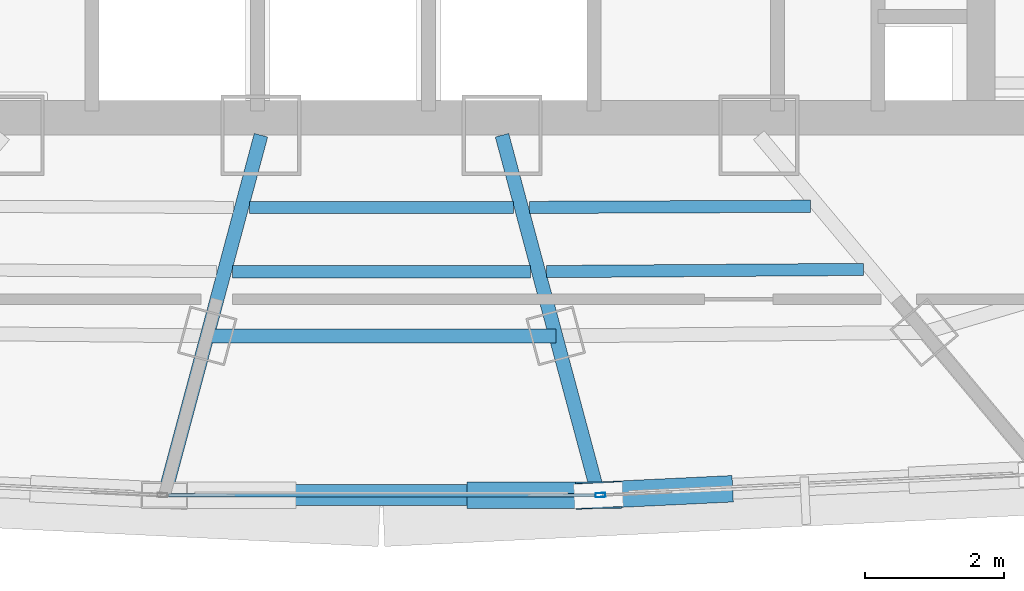
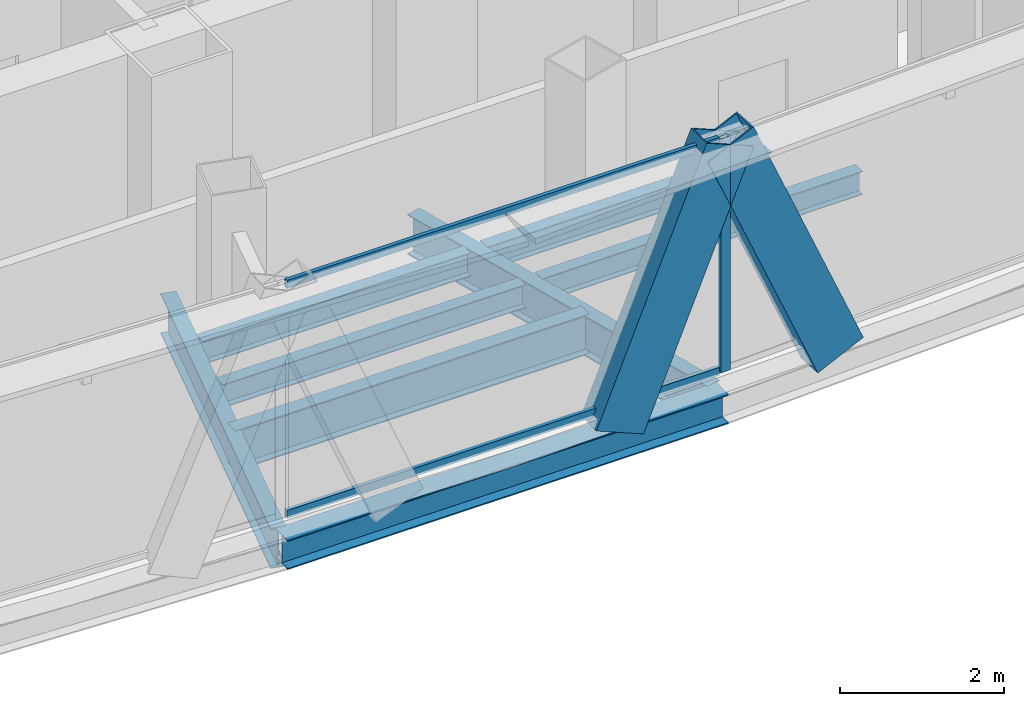
# One storey, part 5 of 30: 8 beams, 5 members, 2 elements without a shape of their own.
"""IFC4 building model written with IfcOpenShell, lengths in metres."""

from ifc_helpers import new_model, si_unit, direction, frame, origin, origin_2d, place, context, subcontext, project, spatial, hollow_rectangle, i_section, extrude, source, transform, mapped, material, layer, layer_set, material_profile, profile_set, type_object, element, aggregate, save


model = new_model("IFC4")

# Units and contexts
model_context = context("Model", 3, precision=1e-05, world=origin(), true_north=direction((0.0, 1.0)))
body_context = subcontext(model_context, "Body", "Model", "MODEL_VIEW")
ifc_project = project(units=[si_unit("LENGTHUNIT", "METRE"), si_unit("AREAUNIT", "SQUARE_METRE"), si_unit("VOLUMEUNIT", "CUBIC_METRE"), si_unit("PLANEANGLEUNIT", "RADIAN"), si_unit("MASSUNIT", "GRAM", prefix="KILO"), si_unit("THERMODYNAMICTEMPERATUREUNIT", "KELVIN"), si_unit("POWERUNIT", "WATT")], contexts=[model_context])

# Site, building, storey
site_placement = place(None, origin())
site = spatial("IfcSite", under=ifc_project, at=site_placement, CompositionType="ELEMENT")
building_placement = place(site_placement, origin())
building = spatial("IfcBuilding", under=site, at=building_placement, Name="Yunzhuo Pagoda Commons", CompositionType="ELEMENT")
storey_placement = place(building_placement, frame((0.0, 0.0, 348.010009765625)))
storey = spatial("IfcBuildingStorey", under=building, at=storey_placement, Name="L87", CompositionType="ELEMENT", Elevation=348.010009765625)

# Beams
ifc_material_1 = material(Name="Structural steel Q355B", Category="steel")
ifc_material_profile_1 = material_profile(ifc_material_1, i_section(OverallWidth=0.199951171875, OverallDepth=0.60009765625, WebThickness=0.010986328125, FlangeThickness=0.01708984375, at=origin_2d()), Name="Structural steel Q355B")
ifc_profile_set_1 = profile_set([ifc_material_profile_1], Name="Structural steel Q355B")
beam_type_1 = type_object("IfcBeamType", Name="B-RG3 Beam HN 600x200x11x17", PredefinedType="BEAM", material=ifc_profile_set_1)
shared_shape_1 = source(origin(), body_context, "Body", "SweptSolid", [
    extrude(i_section(OverallWidth=0.199951171875, OverallDepth=0.60009765625, WebThickness=0.010986328125, FlangeThickness=0.01708984375, at=origin_2d()), origin(), (0.0, 0.0, 1.0), 4.99853515625),
])
beam_1_placement = place(storey_placement, frame((45.500732421875, 24.372802734375, -0.56005859375), z_axis=(1.0, 0.0, 0.0), x_axis=(0.0, 1.0, 0.0)))
element("IfcBeam", 1, at=beam_1_placement, inside=storey, type_object=beam_type_1, Name="L87 column-ring beam 2", PredefinedType="BEAM", context=body_context, shape_type="MappedRepresentation", body=[
    mapped(shared_shape_1, transform((0.0, 0.0, 0.0), scale=1.0)),
])
ifc_material_profile_2 = material_profile(ifc_material_1, i_section(OverallWidth=0.175048828125, OverallDepth=0.35009765625, WebThickness=0.007080078125, FlangeThickness=0.010986328125, at=origin_2d()), Name="Structural steel Q355B")
ifc_profile_set_2 = profile_set([ifc_material_profile_2], Name="Structural steel Q355B")
beam_type_2 = type_object("IfcBeamType", Name="B-JS2 Joist HN 350x175x7x11", PredefinedType="JOIST", material=ifc_profile_set_2)
shared_shape_2 = source(origin(), body_context, "Body", "SweptSolid", [
    extrude(i_section(OverallWidth=0.175048828125, OverallDepth=0.35009765625, WebThickness=0.007080078125, FlangeThickness=0.010986328125, at=origin_2d()), origin(), (0.0, 0.0, 1.0), 4.03076171875),
])
beam_2_placement = place(storey_placement, frame((50.120849609375, 26.214599609375, -0.43505859375), z_axis=(0.999991518197, 0.004118680996, 0.0), x_axis=(-0.004118680996, 0.999991518197, 0.0)))
element("IfcBeam", 2, at=beam_2_placement, inside=storey, type_object=beam_type_2, Name="L87 composite ring joist 1.3", PredefinedType="JOIST", context=body_context, shape_type="MappedRepresentation", body=[
    mapped(shared_shape_2, transform((0.0, 0.0, 0.0), scale=1.0)),
])
shared_shape_3 = source(origin(), body_context, "Body", "SweptSolid", [
    extrude(i_section(OverallWidth=0.175048828125, OverallDepth=0.35009765625, WebThickness=0.007080078125, FlangeThickness=0.010986328125, at=origin_2d()), origin(), (0.0, 0.0, 1.0), 4.54345703125),
])
beam_3_placement = place(storey_placement, frame((50.367431640625, 25.29443359375, -0.43505859375), z_axis=(0.999975976237, 0.006931590593, 0.0), x_axis=(-0.006931590593, 0.999975976237, 0.0)))
element("IfcBeam", 3, at=beam_3_placement, inside=storey, type_object=beam_type_2, Name="L87 composite ring joist 2.3", PredefinedType="JOIST", context=body_context, shape_type="MappedRepresentation", body=[
    mapped(shared_shape_3, transform((0.0, 0.0, 0.0), scale=1.0)),
])
shared_shape_4 = source(origin(), body_context, "Body", "SweptSolid", [
    extrude(i_section(OverallWidth=0.175048828125, OverallDepth=0.35009765625, WebThickness=0.007080078125, FlangeThickness=0.010986328125, at=origin_2d()), origin(), (0.0, 0.0, 1.0), 3.78173828125),
])
beam_4_placement = place(storey_placement, frame((46.109130859375, 26.214111328125, -0.43505859375), z_axis=(1.0, 0.0, 0.0), x_axis=(0.0, 1.0, 0.0)))
element("IfcBeam", 4, at=beam_4_placement, inside=storey, type_object=beam_type_2, Name="L87 composite ring joist 1.2", PredefinedType="JOIST", context=body_context, shape_type="MappedRepresentation", body=[
    mapped(shared_shape_4, transform((0.0, 0.0, 0.0), scale=1.0)),
])
shared_shape_5 = source(origin(), body_context, "Body", "SweptSolid", [
    extrude(i_section(OverallWidth=0.175048828125, OverallDepth=0.35009765625, WebThickness=0.007080078125, FlangeThickness=0.010986328125, at=origin_2d()), origin(), (0.0, 0.0, 1.0), 4.27490234375),
])
beam_5_placement = place(storey_placement, frame((45.862548828125, 25.29345703125, -0.43505859375), z_axis=(1.0, 0.0, 0.0), x_axis=(0.0, 1.0, 0.0)))
element("IfcBeam", 5, at=beam_5_placement, inside=storey, type_object=beam_type_2, Name="L87 composite ring joist 2.2", PredefinedType="JOIST", context=body_context, shape_type="MappedRepresentation", body=[
    mapped(shared_shape_5, transform((0.0, 0.0, 0.0), scale=1.0)),
])
shared_shape_6 = source(origin(), body_context, "Body", "SweptSolid", [
    extrude(i_section(OverallWidth=0.199951171875, OverallDepth=0.60009765625, WebThickness=0.010986328125, FlangeThickness=0.01708984375, at=origin_2d()), origin(), (0.0, 0.0, 1.0), 5.189453125),
])
for number, where, z_axis, x_axis, name in (
    (6, (44.9287109375, 22.2373046875, -0.56005859375), (0.258839551131, 0.965920331482, 0.0), (-0.965920331482, 0.258839551131, 0.0), "L87 radial floor girder F1C2"),
    (7, (51.0712890625, 22.2373046875, -0.56005859375), (-0.258751762449, 0.96594385211, 0.0), (-0.96594385211, -0.258751762449, 0.0), "L87 radial floor girder F1C3"),
):
    element("IfcBeam", number, at=place(storey_placement, frame(where, z_axis=z_axis, x_axis=x_axis)), inside=storey, type_object=beam_type_1, Name=name, PredefinedType="BEAM", context=body_context, shape_type="MappedRepresentation", body=[
        mapped(shared_shape_6, transform((0.0, 0.0, 0.0), scale=1.0)),
    ])
ifc_material_profile_3 = material_profile(ifc_material_1, i_section(OverallWidth=0.300048828125, OverallDepth=0.43994140625, WebThickness=0.010986328125, FlangeThickness=0.01806640625, at=origin_2d()), Name="Structural steel Q355B")
ifc_profile_set_3 = profile_set([ifc_material_profile_3], Name="Structural steel Q355B")
beam_type_3 = type_object("IfcBeamType", Name="B-SP2 Beam HM 440x300x11x18", PredefinedType="BEAM", material=ifc_profile_set_3)
shared_shape_7 = source(origin(), body_context, "Body", "SweptSolid", [
    extrude(i_section(OverallWidth=0.300048828125, OverallDepth=0.43994140625, WebThickness=0.010986328125, FlangeThickness=0.01806640625, at=origin_2d()), origin(), (0.0, 0.0, 1.0), 6.22314453125),
])
beam_6_placement = place(storey_placement, frame((44.888427734375, 22.087890625, -0.47998046875), z_axis=(1.0, 0.0, 0.0), x_axis=(0.0, 1.0, 0.0)))
element("IfcBeam", 8, at=beam_6_placement, inside=storey, type_object=beam_type_3, Name="L87 facade edge spandrel beam F1.2", PredefinedType="BEAM", context=body_context, shape_type="MappedRepresentation", body=[
    mapped(shared_shape_7, transform((0.0, 0.0, 0.0), scale=1.0)),
])

# Members
ifc_material_profile_4 = material_profile(ifc_material_1, hollow_rectangle(XDim=0.3798828125, YDim=0.719970703125, WallThickness=0.02001953125, at=origin_2d()), Name="Structural steel Q355B")
ifc_profile_set_4 = profile_set([ifc_material_profile_4], Name="Structural steel Q355B")
member_type_1 = type_object("IfcMemberType", Name="M-DL3 Brace BOX 720x380x20", PredefinedType="BRACE", material=ifc_profile_set_4)
shared_shape_8 = source(origin(), body_context, "Body", "SweptSolid", [
    extrude(hollow_rectangle(XDim=0.3798828125, YDim=0.719970703125, WallThickness=0.02001953125, at=origin_2d()), origin(), (0.0, 0.0, 1.0), 4.075439453125),
])
member_1_placement = place(storey_placement, frame((52.70556640625, 22.164306640625, -0.260009765625), z_axis=(-0.391122616009, -0.018750402636, 0.92014755428), x_axis=(0.04788496619, -0.998852857038, 0.0)))
element("IfcMember", 9, at=member_1_placement, inside=storey, type_object=member_type_1, Name="L87 facade diamond brace F1.3L", PredefinedType="BRACE", context=body_context, shape_type="MappedRepresentation", body=[
    mapped(shared_shape_8, transform((0.0, 0.0, 0.0), scale=1.0)),
])
shared_shape_9 = source(origin(), body_context, "Body", "SweptSolid", [
    extrude(hollow_rectangle(XDim=0.3798828125, YDim=0.719970703125, WallThickness=0.02001953125, at=origin_2d()), origin(), (0.0, 0.0, 1.0), 4.059814453125),
])
member_2_placement = place(storey_placement, frame((49.555908203125, 22.087890625, -0.260009765625), z_axis=(0.383180219936, 0.0, 0.923673599845), x_axis=(0.0, 1.0, 0.0)))
element("IfcMember", 10, at=member_2_placement, inside=storey, type_object=member_type_1, Name="L87 facade diamond brace F1.2R", PredefinedType="BRACE", context=body_context, shape_type="MappedRepresentation", body=[
    mapped(shared_shape_9, transform((0.0, 0.0, 0.0), scale=1.0)),
])

# Curtain wall, member
ifc_material_2 = material(Name="Anodized aluminium 6063-T6", Category="aluminium")
ifc_layer = layer(ifc_material_2, 0.139892578125)
ifc_layer_set = layer_set([ifc_layer], Name="Anodized aluminium 6063-T6")
curtain_wall_type = type_object("IfcCurtainWallType", Name="CW-HI High-Zone Ribbon Curtain Wall", PredefinedType="NOTDEFINED", material=ifc_layer_set)
curtain_wall_1_placement = place(storey_placement, origin())
curtain_wall_1 = element("IfcCurtainWall", 11, at=curtain_wall_1_placement, inside=storey, type_object=curtain_wall_type, Name="L87 curtain wall CW-L87-F1B4", PredefinedType="NOTDEFINED")
ifc_material_profile_5 = material_profile(ifc_material_2, hollow_rectangle(XDim=0.06005859375, YDim=0.139892578125, WallThickness=0.00341796875, at=origin_2d()), Name="Anodized aluminium 6063-T6")
ifc_profile_set_5 = profile_set([ifc_material_profile_5], Name="Anodized aluminium 6063-T6")
member_type_2 = type_object("IfcMemberType", Name="CW-HI-M Mullion RHS 140x60x3.5", PredefinedType="MULLION", material=ifc_profile_set_5)
shared_shape_10 = source(origin(), body_context, "Body", "SweptSolid", [
    extrude(hollow_rectangle(XDim=0.06005859375, YDim=0.139892578125, WallThickness=0.00341796875, at=origin_2d()), origin(), (0.0, 0.0, 1.0), 3.489990234375),
])
member_3_placement = place(storey_placement, frame((51.141357421875, 22.089111328125, 0.0), z_axis=(0.0, 0.0, 1.0), x_axis=(-0.047859147719, 0.99885409444, 0.0)))
member_3 = element("IfcMember", 12, at=member_3_placement, type_object=member_type_2, Name="CW mullion 1", PredefinedType="MULLION", context=body_context, shape_type="MappedRepresentation", body=[
    mapped(shared_shape_10, transform((0.0, 0.0, 0.0), scale=1.0)),
])
aggregate(curtain_wall_1, [member_3])

# Curtain wall, members
curtain_wall_2_placement = place(storey_placement, origin())
curtain_wall_2 = element("IfcCurtainWall", 13, at=curtain_wall_2_placement, inside=storey, type_object=curtain_wall_type, Name="L87 curtain wall CW-L87-F1B3", PredefinedType="NOTDEFINED")
ifc_material_profile_6 = material_profile(ifc_material_2, hollow_rectangle(XDim=0.054931640625, YDim=0.1201171875, WallThickness=0.00341796875, at=origin_2d()), Name="Anodized aluminium 6063-T6")
ifc_profile_set_6 = profile_set([ifc_material_profile_6], Name="Anodized aluminium 6063-T6")
member_type_3 = type_object("IfcMemberType", Name="CW-HI-T Transom RHS 120x55x3.5", PredefinedType="USERDEFINED", material=ifc_profile_set_6)
shared_shape_11 = source(origin(), body_context, "Body", "SweptSolid", [
    extrude(hollow_rectangle(XDim=0.054931640625, YDim=0.1201171875, WallThickness=0.00341796875, at=origin_2d()), origin(), (0.0, 0.0, 1.0), 6.10302734375),
])
member_4_placement = place(storey_placement, frame((44.948486328125, 22.087890625, 0.027587890625), z_axis=(1.0, 0.0, 0.0), x_axis=(0.0, 1.0, 0.0)))
member_4 = element("IfcMember", 14, at=member_4_placement, type_object=member_type_3, Name="CW transom 1.1", ObjectType="TRANSOM", PredefinedType="USERDEFINED", context=body_context, shape_type="MappedRepresentation", body=[
    mapped(shared_shape_11, transform((0.0, 0.0, 0.0), scale=1.0)),
])
member_5_placement = place(storey_placement, frame((44.948486328125, 22.087890625, 3.46240234375), z_axis=(1.0, 0.0, 0.0), x_axis=(0.0, 1.0, 0.0)))
member_5 = element("IfcMember", 15, at=member_5_placement, type_object=member_type_3, Name="CW transom 1.2", ObjectType="TRANSOM", PredefinedType="USERDEFINED", context=body_context, shape_type="MappedRepresentation", body=[
    mapped(shared_shape_11, transform((0.0, 0.0, 0.0), scale=1.0)),
])
aggregate(curtain_wall_2, [member_4, member_5])

save(model, "model.ifc")
